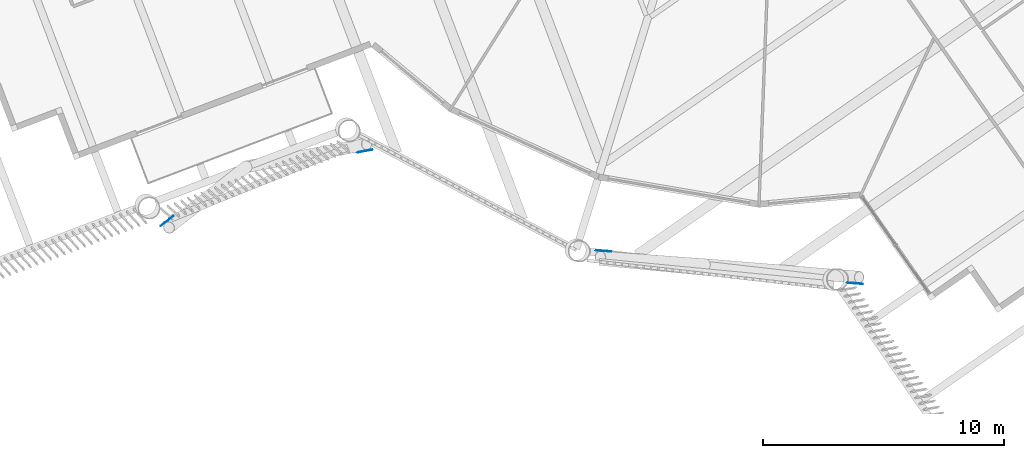
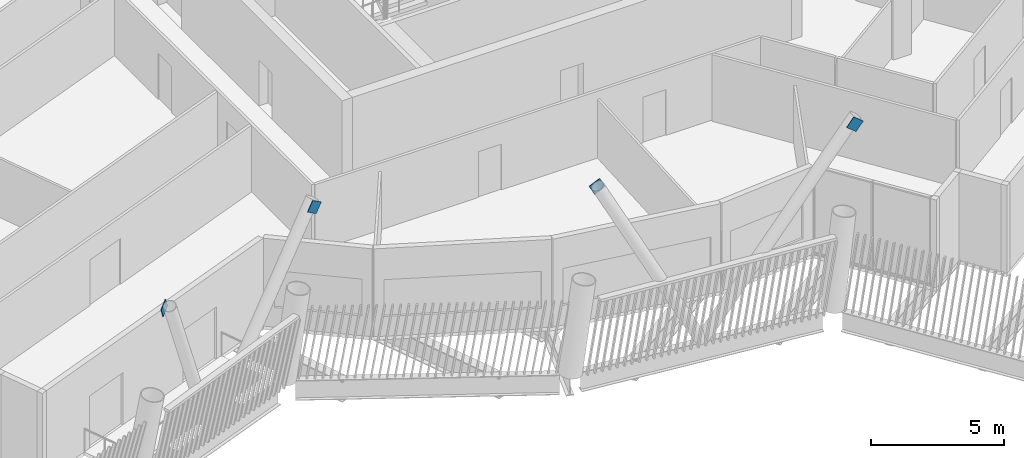
# One storey, part 23 of 33: 4 discrete accessories.
"""IFC4 building model written with IfcOpenShell, lengths in metres."""

from ifc_helpers import new_model, si_unit, direction, frame, origin, origin_2d, place, context, subcontext, project, spatial, rectangle, extrude, material, material_profile, profile_set, type_object, element, save


model = new_model("IFC4")

# Units and contexts
model_context = context("Model", 3, precision=1e-05, world=origin(), true_north=direction((0.0, 1.0)))
body_context = subcontext(model_context, "Body", "Model", "MODEL_VIEW")
ifc_project = project(units=[si_unit("LENGTHUNIT", "METRE"), si_unit("AREAUNIT", "SQUARE_METRE"), si_unit("VOLUMEUNIT", "CUBIC_METRE"), si_unit("PLANEANGLEUNIT", "RADIAN"), si_unit("MASSUNIT", "GRAM", prefix="KILO")], contexts=[model_context])

# Site, building, storey
site_placement = place(None, origin())
site = spatial("IfcSite", under=ifc_project, at=site_placement, CompositionType="ELEMENT")
building_placement = place(site_placement, origin())
building = spatial("IfcBuilding", under=site, at=building_placement, Name="Tarsis Ring Headquarters", CompositionType="ELEMENT")
storey_placement = place(building_placement, frame((0.0, 0.0, 369.199951171875)))
storey = spatial("IfcBuildingStorey", under=building, at=storey_placement, Name="L87", CompositionType="ELEMENT", Elevation=369.199951171875)

# Discrete accessories
ifc_material = material(Name="Structural steel S355", Category="steel")
ifc_material_profile = material_profile(ifc_material, rectangle(XDim=0.02490234375, YDim=0.5, at=origin_2d()), Name="PL 25x500")
ifc_profile_set = profile_set([ifc_material_profile], Name="Structural steel S355")
discrete_accessory_type = type_object("IfcDiscreteAccessoryType", Name="Gusset plate Exo brace 25", PredefinedType="BRACKET", material=ifc_profile_set)
for number, where, z_axis, x_axis, name in (
    (1, (3.14111328125, -29.1416015625, 8.400146484375), (-0.605438076894, 0.048825651362, -0.794393347666), (-0.08038418992, -0.996763955012, 0.0), "Gusset plate GP5"),
    (2, (-7.5576171875, -27.777099609375, 8.400146484375), (0.458444779449, -0.033687635551, -0.888084189369), (0.073284837618, 0.997311051064, 0.0), "Gusset plate GP5"),
    (3, (-17.225341796875, -23.61572265625, 8.400146484375), (-0.509188426028, -0.095686415629, -0.855319388687), (0.184686766319, -0.982797435053, 0.0), "Gusset plate GP5"),
):
    element("IfcDiscreteAccessory", number, at=place(storey_placement, frame(where, z_axis=z_axis, x_axis=x_axis)), inside=storey, type_object=discrete_accessory_type, Name=name, PredefinedType="BRACKET", context=body_context, shape_type="SweptSolid", body=[
        extrude(rectangle(XDim=0.02490234375, YDim=0.5, at=origin_2d()), origin(), (0.0, 0.0, 1.0), 0.5),
    ])
discrete_accessory_placement = place(storey_placement, frame((-25.641357421875, -26.605712890625, 8.400146484375), z_axis=(0.343165065662, 0.269943501153, -0.899648955924), x_axis=(-0.618265840327, 0.785969051989, 0.0)))
element("IfcDiscreteAccessory", 4, at=discrete_accessory_placement, inside=storey, type_object=discrete_accessory_type, Name="Gusset plate GP5", PredefinedType="BRACKET", context=body_context, shape_type="SweptSolid", body=[
    extrude(rectangle(XDim=0.02490234375, YDim=0.5, at=origin_2d()), origin(), (0.0, 0.0, 1.0), 0.500244140625),
])

save(model, "model.ifc")
